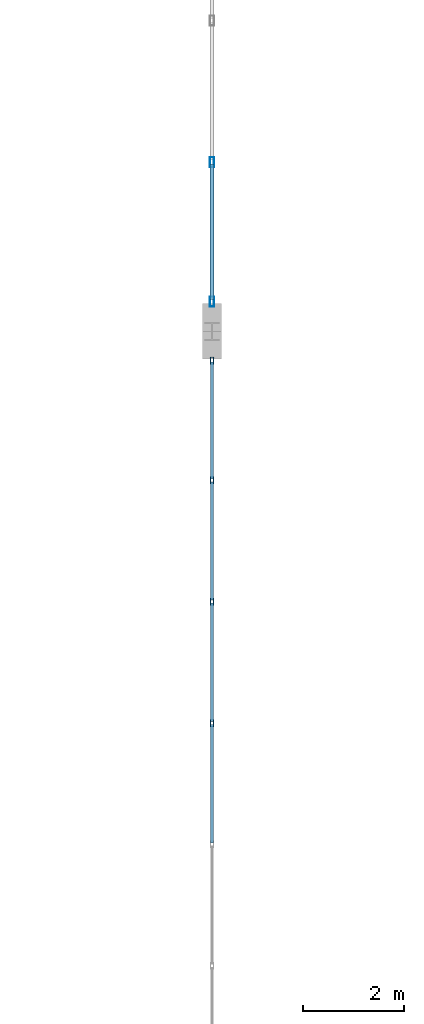
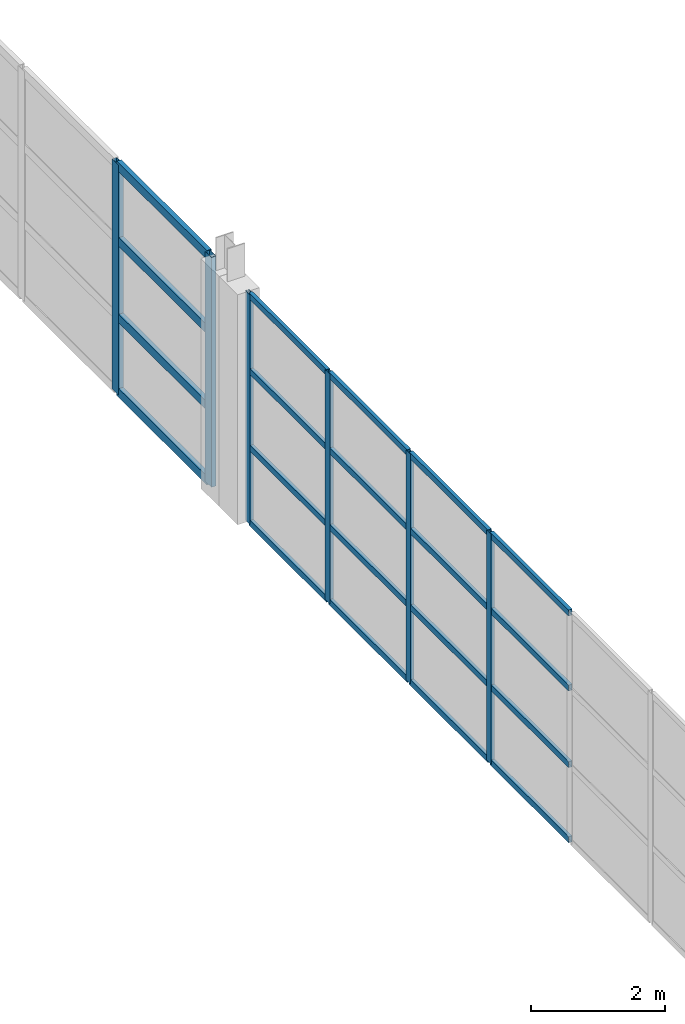
# One storey, part 25 of 86: 26 members, 2 elements without a shape of their own.
"""IFC4 building model written with IfcOpenShell, lengths in metres."""

from ifc_helpers import new_model, si_unit, direction, frame, origin, origin_2d, place, context, subcontext, project, spatial, hollow_rectangle, extrude, material, layer, layer_set, material_profile, profile_set, type_object, element, aggregate, save


model = new_model("IFC4")

# Units and contexts
model_context = context("Model", 3, precision=1e-05, world=origin(), true_north=direction((0.0, 1.0)))
body_context = subcontext(model_context, "Body", "Model", "MODEL_VIEW")
ifc_project = project(units=[si_unit("LENGTHUNIT", "METRE"), si_unit("AREAUNIT", "SQUARE_METRE"), si_unit("VOLUMEUNIT", "CUBIC_METRE"), si_unit("PLANEANGLEUNIT", "RADIAN"), si_unit("MASSUNIT", "GRAM", prefix="KILO")], contexts=[model_context])

# Site, building, storey
site_placement = place(None, origin())
site = spatial("IfcSite", under=ifc_project, at=site_placement, CompositionType="ELEMENT")
building_placement = place(site_placement, origin())
building = spatial("IfcBuilding", under=site, at=building_placement, Name="Zilviju Railside Exhibition Hall", CompositionType="ELEMENT")
storey_placement = place(building_placement, frame((0.0, 0.0, 12.60009765625)))
storey = spatial("IfcBuildingStorey", under=building, at=storey_placement, Name="L04", CompositionType="ELEMENT", Elevation=12.60009765625)

# Curtain wall, members
ifc_material_1 = material(Name="Thermally broken aluminium-steel triple-glazed curtain wall", Category="steel")
ifc_layer_1 = layer(ifc_material_1, 0.179931640625)
ifc_layer_set_1 = layer_set([ifc_layer_1], Name="Thermally broken aluminium-steel triple-glazed curtain wall")
curtain_wall_type_1 = type_object("IfcCurtainWallType", Name="CW-BAY-17", PredefinedType="USERDEFINED", material=ifc_layer_set_1)
curtain_wall_1_placement = place(storey_placement, origin())
curtain_wall_1 = element("IfcCurtainWall", 1, at=curtain_wall_1_placement, inside=storey, type_object=curtain_wall_type_1, Name="North Hall West Upper Glazed Gable (102..120)", ObjectType="GLAZED CURTAIN WALL", PredefinedType="USERDEFINED")
ifc_material_2 = material(Name="Thermally broken anodized aluminium mullion", Category="aluminium")
ifc_material_profile_1 = material_profile(ifc_material_2, hollow_rectangle(XDim=0.06005859375, YDim=0.139892578125, WallThickness=0.0048828125, at=origin_2d()), Name="MULLION 140x60x5")
ifc_profile_set_1 = profile_set([ifc_material_profile_1], Name="Thermally broken anodized aluminium mullion")
member_type_1 = type_object("IfcMemberType", Name="CWM-60x140", PredefinedType="MULLION", material=ifc_profile_set_1)
member_1_placement = place(storey_placement, frame((78.0, 112.20703125, 0.0), z_axis=(0.0, 0.0, 1.0), x_axis=(-1.0, 0.0, 0.0)))
member_1 = element("IfcMember", 2, at=member_1_placement, type_object=member_type_1, Name="CW-17 mullion 5", PredefinedType="MULLION", context=body_context, shape_type="SweptSolid", body=[
    extrude(hollow_rectangle(XDim=0.06005859375, YDim=0.139892578125, WallThickness=0.0048828125, at=origin_2d()), origin(), (0.0, 0.0, 1.0), 4.199951171875),
])
member_2_placement = place(storey_placement, frame((78.0, 114.621337890625, 0.0), z_axis=(0.0, 0.0, 1.0), x_axis=(-1.0, 0.0, 0.0)))
member_2 = element("IfcMember", 3, at=member_2_placement, type_object=member_type_1, Name="CW-17 mullion 6", PredefinedType="MULLION", context=body_context, shape_type="SweptSolid", body=[
    extrude(hollow_rectangle(XDim=0.06005859375, YDim=0.139892578125, WallThickness=0.0048828125, at=origin_2d()), origin(), (0.0, 0.0, 1.0), 4.199951171875),
])
member_3_placement = place(storey_placement, frame((78.0, 117.03564453125, 0.0), z_axis=(0.0, 0.0, 1.0), x_axis=(-1.0, 0.0, 0.0)))
member_3 = element("IfcMember", 4, at=member_3_placement, type_object=member_type_1, Name="CW-17 mullion 7", PredefinedType="MULLION", context=body_context, shape_type="SweptSolid", body=[
    extrude(hollow_rectangle(XDim=0.06005859375, YDim=0.139892578125, WallThickness=0.0048828125, at=origin_2d()), origin(), (0.0, 0.0, 1.0), 4.199951171875),
])
member_4_placement = place(storey_placement, frame((78.0, 119.419921875, 0.0), z_axis=(0.0, 0.0, 1.0), x_axis=(-1.0, 0.0, 0.0)))
member_4 = element("IfcMember", 5, at=member_4_placement, type_object=member_type_1, Name="CW-17 mullion 8", PredefinedType="MULLION", context=body_context, shape_type="SweptSolid", body=[
    extrude(hollow_rectangle(XDim=0.06005859375, YDim=0.139892578125, WallThickness=0.0048828125, at=origin_2d()), origin(), (0.0, 0.0, 1.0), 4.199951171875),
])

ifc_layer_2 = layer(ifc_material_1, 0.179931640625)
ifc_layer_set_2 = layer_set([ifc_layer_2], Name="Thermally broken aluminium-steel triple-glazed curtain wall")
curtain_wall_type_2 = type_object("IfcCurtainWallType", Name="CW-BAY-18", PredefinedType="USERDEFINED", material=ifc_layer_set_2)
curtain_wall_2_placement = place(storey_placement, origin())
curtain_wall_2 = element("IfcCurtainWall", 6, at=curtain_wall_2_placement, inside=storey, type_object=curtain_wall_type_2, Name="North Hall West Upper Glazed Gable (120..138)", ObjectType="GLAZED CURTAIN WALL", PredefinedType="USERDEFINED")
ifc_material_profile_2 = material_profile(ifc_material_2, hollow_rectangle(XDim=0.080078125, YDim=0.199951171875, WallThickness=0.0048828125, at=origin_2d()), Name="MULLION 200x80x5")
ifc_profile_set_2 = profile_set([ifc_material_profile_2], Name="Thermally broken anodized aluminium mullion")
member_type_2 = type_object("IfcMemberType", Name="CWM-80x200", PredefinedType="MULLION", material=ifc_profile_set_2)
member_5_placement = place(storey_placement, frame((78.0, 120.590087890625, 0.0), z_axis=(0.0, 0.0, 1.0), x_axis=(-1.0, 0.0, 0.0)))
member_5 = element("IfcMember", 7, at=member_5_placement, type_object=member_type_2, Name="CW-18 mullion 1", PredefinedType="MULLION", context=body_context, shape_type="SweptSolid", body=[
    extrude(hollow_rectangle(XDim=0.080078125, YDim=0.199951171875, WallThickness=0.0048828125, at=origin_2d()), origin(), (0.0, 0.0, 1.0), 4.199951171875),
])
member_6_placement = place(storey_placement, frame((78.0, 123.36669921875, 0.0), z_axis=(0.0, 0.0, 1.0), x_axis=(-1.0, 0.0, 0.0)))
member_6 = element("IfcMember", 8, at=member_6_placement, type_object=member_type_2, Name="CW-18 mullion 2", PredefinedType="MULLION", context=body_context, shape_type="SweptSolid", body=[
    extrude(hollow_rectangle(XDim=0.080078125, YDim=0.199951171875, WallThickness=0.0048828125, at=origin_2d()), origin(), (0.0, 0.0, 1.0), 4.199951171875),
])

# Member
ifc_material_3 = material(Name="Thermally broken anodized aluminium transom", Category="aluminium")
ifc_material_profile_3 = material_profile(ifc_material_3, hollow_rectangle(XDim=0.06005859375, YDim=0.110107421875, WallThickness=0.0048828125, at=origin_2d()), Name="TRANSOM 110x60x5")
ifc_profile_set_3 = profile_set([ifc_material_profile_3], Name="Thermally broken anodized aluminium transom")
member_type_3 = type_object("IfcMemberType", Name="CWT-60x110", PredefinedType="USERDEFINED", material=ifc_profile_set_3)
member_7_placement = place(storey_placement, frame((78.0, 109.82275390625, 0.02978515625), z_axis=(0.0, 1.0, 0.0), x_axis=(-1.0, 0.0, 0.0)))
member_7 = element("IfcMember", 9, at=member_7_placement, type_object=member_type_3, Name="CW-17 transom 4.1", ObjectType="TRANSOM", PredefinedType="USERDEFINED", context=body_context, shape_type="SweptSolid", body=[
    extrude(hollow_rectangle(XDim=0.06005859375, YDim=0.110107421875, WallThickness=0.0048828125, at=origin_2d()), origin(), (0.0, 0.0, 1.0), 2.3544921875),
])

member_8_placement = place(storey_placement, frame((78.0, 109.82275390625, 1.39990234375), z_axis=(0.0, 1.0, 0.0), x_axis=(-1.0, 0.0, 0.0)))
member_8 = element("IfcMember", 10, at=member_8_placement, type_object=member_type_3, Name="CW-17 transom 4.2", ObjectType="TRANSOM", PredefinedType="USERDEFINED", context=body_context, shape_type="SweptSolid", body=[
    extrude(hollow_rectangle(XDim=0.06005859375, YDim=0.110107421875, WallThickness=0.0048828125, at=origin_2d()), origin(), (0.0, 0.0, 1.0), 2.3544921875),
])

member_9_placement = place(storey_placement, frame((78.0, 109.82275390625, 2.7998046875), z_axis=(0.0, 1.0, 0.0), x_axis=(-1.0, 0.0, 0.0)))
member_9 = element("IfcMember", 11, at=member_9_placement, type_object=member_type_3, Name="CW-17 transom 4.3", ObjectType="TRANSOM", PredefinedType="USERDEFINED", context=body_context, shape_type="SweptSolid", body=[
    extrude(hollow_rectangle(XDim=0.06005859375, YDim=0.110107421875, WallThickness=0.0048828125, at=origin_2d()), origin(), (0.0, 0.0, 1.0), 2.3544921875),
])

member_10_placement = place(storey_placement, frame((78.0, 109.82275390625, 4.169921875), z_axis=(0.0, 1.0, 0.0), x_axis=(-1.0, 0.0, 0.0)))
member_10 = element("IfcMember", 12, at=member_10_placement, type_object=member_type_3, Name="CW-17 transom 4.4", ObjectType="TRANSOM", PredefinedType="USERDEFINED", context=body_context, shape_type="SweptSolid", body=[
    extrude(hollow_rectangle(XDim=0.06005859375, YDim=0.110107421875, WallThickness=0.0048828125, at=origin_2d()), origin(), (0.0, 0.0, 1.0), 2.3544921875),
])

member_11_placement = place(storey_placement, frame((78.0, 112.237060546875, 0.02978515625), z_axis=(0.0, 1.0, 0.0), x_axis=(-1.0, 0.0, 0.0)))
member_11 = element("IfcMember", 13, at=member_11_placement, type_object=member_type_3, Name="CW-17 transom 5.1", ObjectType="TRANSOM", PredefinedType="USERDEFINED", context=body_context, shape_type="SweptSolid", body=[
    extrude(hollow_rectangle(XDim=0.06005859375, YDim=0.110107421875, WallThickness=0.0048828125, at=origin_2d()), origin(), (0.0, 0.0, 1.0), 2.354248046875),
])

member_12_placement = place(storey_placement, frame((78.0, 112.237060546875, 1.39990234375), z_axis=(0.0, 1.0, 0.0), x_axis=(-1.0, 0.0, 0.0)))
member_12 = element("IfcMember", 14, at=member_12_placement, type_object=member_type_3, Name="CW-17 transom 5.2", ObjectType="TRANSOM", PredefinedType="USERDEFINED", context=body_context, shape_type="SweptSolid", body=[
    extrude(hollow_rectangle(XDim=0.06005859375, YDim=0.110107421875, WallThickness=0.0048828125, at=origin_2d()), origin(), (0.0, 0.0, 1.0), 2.354248046875),
])

member_13_placement = place(storey_placement, frame((78.0, 112.237060546875, 2.7998046875), z_axis=(0.0, 1.0, 0.0), x_axis=(-1.0, 0.0, 0.0)))
member_13 = element("IfcMember", 15, at=member_13_placement, type_object=member_type_3, Name="CW-17 transom 5.3", ObjectType="TRANSOM", PredefinedType="USERDEFINED", context=body_context, shape_type="SweptSolid", body=[
    extrude(hollow_rectangle(XDim=0.06005859375, YDim=0.110107421875, WallThickness=0.0048828125, at=origin_2d()), origin(), (0.0, 0.0, 1.0), 2.354248046875),
])

member_14_placement = place(storey_placement, frame((78.0, 112.237060546875, 4.169921875), z_axis=(0.0, 1.0, 0.0), x_axis=(-1.0, 0.0, 0.0)))
member_14 = element("IfcMember", 16, at=member_14_placement, type_object=member_type_3, Name="CW-17 transom 5.4", ObjectType="TRANSOM", PredefinedType="USERDEFINED", context=body_context, shape_type="SweptSolid", body=[
    extrude(hollow_rectangle(XDim=0.06005859375, YDim=0.110107421875, WallThickness=0.0048828125, at=origin_2d()), origin(), (0.0, 0.0, 1.0), 2.354248046875),
])

member_15_placement = place(storey_placement, frame((78.0, 114.6513671875, 0.02978515625), z_axis=(0.0, 1.0, 0.0), x_axis=(-1.0, 0.0, 0.0)))
member_15 = element("IfcMember", 17, at=member_15_placement, type_object=member_type_3, Name="CW-17 transom 6.1", ObjectType="TRANSOM", PredefinedType="USERDEFINED", context=body_context, shape_type="SweptSolid", body=[
    extrude(hollow_rectangle(XDim=0.06005859375, YDim=0.110107421875, WallThickness=0.0048828125, at=origin_2d()), origin(), (0.0, 0.0, 1.0), 2.354248046875),
])

member_16_placement = place(storey_placement, frame((78.0, 114.6513671875, 1.39990234375), z_axis=(0.0, 1.0, 0.0), x_axis=(-1.0, 0.0, 0.0)))
member_16 = element("IfcMember", 18, at=member_16_placement, type_object=member_type_3, Name="CW-17 transom 6.2", ObjectType="TRANSOM", PredefinedType="USERDEFINED", context=body_context, shape_type="SweptSolid", body=[
    extrude(hollow_rectangle(XDim=0.06005859375, YDim=0.110107421875, WallThickness=0.0048828125, at=origin_2d()), origin(), (0.0, 0.0, 1.0), 2.354248046875),
])

member_17_placement = place(storey_placement, frame((78.0, 114.6513671875, 2.7998046875), z_axis=(0.0, 1.0, 0.0), x_axis=(-1.0, 0.0, 0.0)))
member_17 = element("IfcMember", 19, at=member_17_placement, type_object=member_type_3, Name="CW-17 transom 6.3", ObjectType="TRANSOM", PredefinedType="USERDEFINED", context=body_context, shape_type="SweptSolid", body=[
    extrude(hollow_rectangle(XDim=0.06005859375, YDim=0.110107421875, WallThickness=0.0048828125, at=origin_2d()), origin(), (0.0, 0.0, 1.0), 2.354248046875),
])

member_18_placement = place(storey_placement, frame((78.0, 114.6513671875, 4.169921875), z_axis=(0.0, 1.0, 0.0), x_axis=(-1.0, 0.0, 0.0)))
member_18 = element("IfcMember", 20, at=member_18_placement, type_object=member_type_3, Name="CW-17 transom 6.4", ObjectType="TRANSOM", PredefinedType="USERDEFINED", context=body_context, shape_type="SweptSolid", body=[
    extrude(hollow_rectangle(XDim=0.06005859375, YDim=0.110107421875, WallThickness=0.0048828125, at=origin_2d()), origin(), (0.0, 0.0, 1.0), 2.354248046875),
])

member_19_placement = place(storey_placement, frame((78.0, 117.065673828125, 0.02978515625), z_axis=(0.0, 1.0, 0.0), x_axis=(-1.0, 0.0, 0.0)))
member_19 = element("IfcMember", 21, at=member_19_placement, type_object=member_type_3, Name="CW-17 transom 7.1", ObjectType="TRANSOM", PredefinedType="USERDEFINED", context=body_context, shape_type="SweptSolid", body=[
    extrude(hollow_rectangle(XDim=0.06005859375, YDim=0.110107421875, WallThickness=0.0048828125, at=origin_2d()), origin(), (0.0, 0.0, 1.0), 2.32421875),
])

member_20_placement = place(storey_placement, frame((78.0, 117.065673828125, 1.39990234375), z_axis=(0.0, 1.0, 0.0), x_axis=(-1.0, 0.0, 0.0)))
member_20 = element("IfcMember", 22, at=member_20_placement, type_object=member_type_3, Name="CW-17 transom 7.2", ObjectType="TRANSOM", PredefinedType="USERDEFINED", context=body_context, shape_type="SweptSolid", body=[
    extrude(hollow_rectangle(XDim=0.06005859375, YDim=0.110107421875, WallThickness=0.0048828125, at=origin_2d()), origin(), (0.0, 0.0, 1.0), 2.32421875),
])

member_21_placement = place(storey_placement, frame((78.0, 117.065673828125, 2.7998046875), z_axis=(0.0, 1.0, 0.0), x_axis=(-1.0, 0.0, 0.0)))
member_21 = element("IfcMember", 23, at=member_21_placement, type_object=member_type_3, Name="CW-17 transom 7.3", ObjectType="TRANSOM", PredefinedType="USERDEFINED", context=body_context, shape_type="SweptSolid", body=[
    extrude(hollow_rectangle(XDim=0.06005859375, YDim=0.110107421875, WallThickness=0.0048828125, at=origin_2d()), origin(), (0.0, 0.0, 1.0), 2.32421875),
])

member_22_placement = place(storey_placement, frame((78.0, 117.065673828125, 4.169921875), z_axis=(0.0, 1.0, 0.0), x_axis=(-1.0, 0.0, 0.0)))
member_22 = element("IfcMember", 24, at=member_22_placement, type_object=member_type_3, Name="CW-17 transom 7.4", ObjectType="TRANSOM", PredefinedType="USERDEFINED", context=body_context, shape_type="SweptSolid", body=[
    extrude(hollow_rectangle(XDim=0.06005859375, YDim=0.110107421875, WallThickness=0.0048828125, at=origin_2d()), origin(), (0.0, 0.0, 1.0), 2.32421875),
])

aggregate(curtain_wall_1, [member_1, member_2, member_3, member_4, member_7, member_8, member_9, member_10, member_11, member_12, member_13, member_14, member_15, member_16, member_17, member_18, member_19, member_20, member_21, member_22])

ifc_material_profile_4 = material_profile(ifc_material_3, hollow_rectangle(XDim=0.080078125, YDim=0.159912109375, WallThickness=0.0048828125, at=origin_2d()), Name="TRANSOM 160x80x5")
ifc_profile_set_4 = profile_set([ifc_material_profile_4], Name="Thermally broken anodized aluminium transom")
member_type_4 = type_object("IfcMemberType", Name="CWT-80x160", PredefinedType="USERDEFINED", material=ifc_profile_set_4)
member_23_placement = place(storey_placement, frame((78.0, 120.6298828125, 0.039794921875), z_axis=(0.0, 1.0, 0.0), x_axis=(-1.0, 0.0, 0.0)))
member_23 = element("IfcMember", 25, at=member_23_placement, type_object=member_type_4, Name="CW-18 transom 1.1", ObjectType="TRANSOM", PredefinedType="USERDEFINED", context=body_context, shape_type="SweptSolid", body=[
    extrude(hollow_rectangle(XDim=0.080078125, YDim=0.159912109375, WallThickness=0.0048828125, at=origin_2d()), origin(), (0.0, 0.0, 1.0), 2.69677734375),
])

member_24_placement = place(storey_placement, frame((78.0, 120.6298828125, 1.39990234375), z_axis=(0.0, 1.0, 0.0), x_axis=(-1.0, 0.0, 0.0)))
member_24 = element("IfcMember", 26, at=member_24_placement, type_object=member_type_4, Name="CW-18 transom 1.2", ObjectType="TRANSOM", PredefinedType="USERDEFINED", context=body_context, shape_type="SweptSolid", body=[
    extrude(hollow_rectangle(XDim=0.080078125, YDim=0.159912109375, WallThickness=0.0048828125, at=origin_2d()), origin(), (0.0, 0.0, 1.0), 2.69677734375),
])

member_25_placement = place(storey_placement, frame((78.0, 120.6298828125, 2.7998046875), z_axis=(0.0, 1.0, 0.0), x_axis=(-1.0, 0.0, 0.0)))
member_25 = element("IfcMember", 27, at=member_25_placement, type_object=member_type_4, Name="CW-18 transom 1.3", ObjectType="TRANSOM", PredefinedType="USERDEFINED", context=body_context, shape_type="SweptSolid", body=[
    extrude(hollow_rectangle(XDim=0.080078125, YDim=0.159912109375, WallThickness=0.0048828125, at=origin_2d()), origin(), (0.0, 0.0, 1.0), 2.69677734375),
])

member_26_placement = place(storey_placement, frame((78.0, 120.6298828125, 4.159912109375), z_axis=(0.0, 1.0, 0.0), x_axis=(-1.0, 0.0, 0.0)))
member_26 = element("IfcMember", 28, at=member_26_placement, type_object=member_type_4, Name="CW-18 transom 1.4", ObjectType="TRANSOM", PredefinedType="USERDEFINED", context=body_context, shape_type="SweptSolid", body=[
    extrude(hollow_rectangle(XDim=0.080078125, YDim=0.159912109375, WallThickness=0.0048828125, at=origin_2d()), origin(), (0.0, 0.0, 1.0), 2.69677734375),
])

aggregate(curtain_wall_2, [member_5, member_6, member_23, member_24, member_25, member_26])

save(model, "model.ifc")
